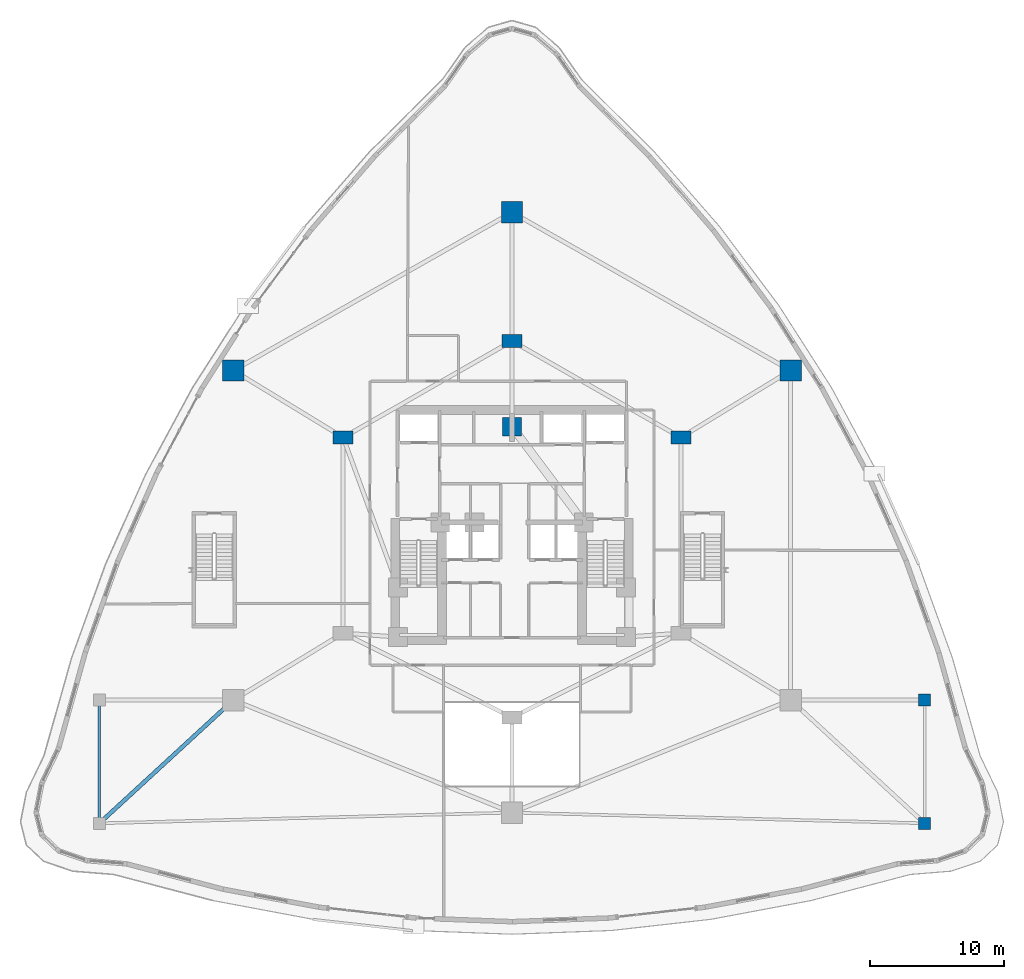
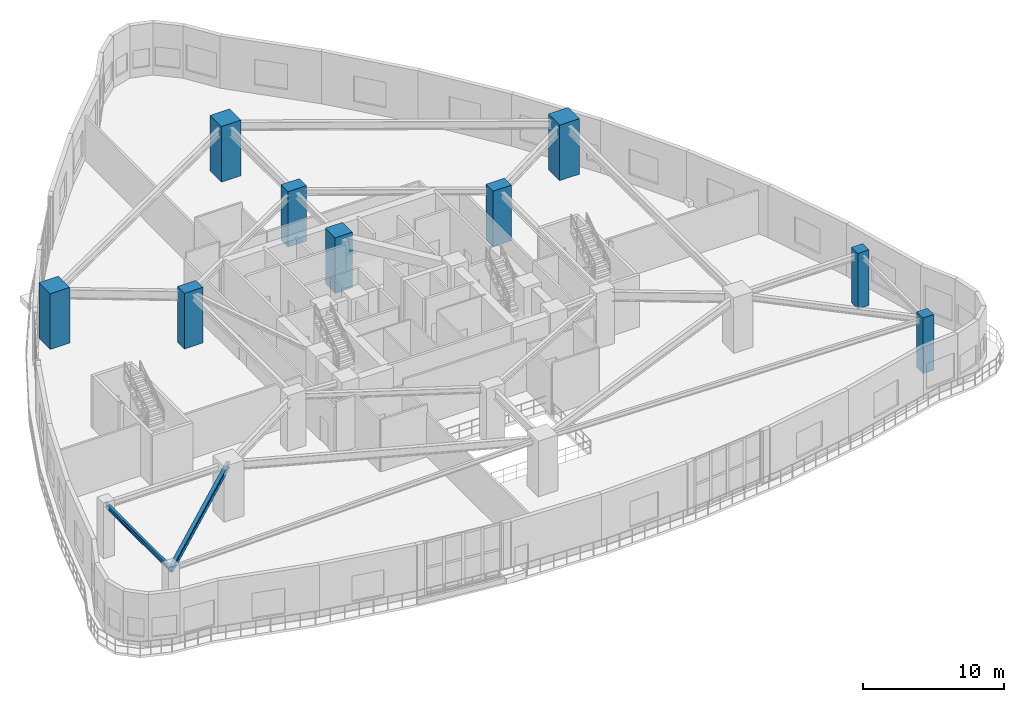
# One storey, part 3 of 25: 9 columns, 2 beams.
"""IFC4 building model written with IfcOpenShell, lengths in metres."""

import ifcopenshell
import ifcopenshell.guid

model = None  # the IFC model being written
_history = None  # IfcOwnerHistory: only IFC2X3 demands one
_inside = {}  # id of a spatial element -> (the spatial element, [elements in it])
_under = {}  # id of a project, library or spatial element -> (it, [spatial elements below it])
_declared = {}  # id of a project -> (the project, [libraries it declares])
_typed = {}  # id of a type object -> (the type object, [elements of that type])
_made_of = {}  # id of a material, layer set ... -> (it, [elements and type objects made of it])


def new_model(schema):
    """Start an empty IFC model of exactly this schema.

    Asked for "IFC4X3", IfcOpenShell would pick the latest addendum, in which some entities
    have other attributes; the version numbers below select the first issue.
    IFC2X3 requires an IfcOwnerHistory on every rooted entity: one is made here for all.
    """
    global model, _history
    if schema == "IFC4X3":
        model = ifcopenshell.file(schema_version=(4, 3, 0, 0))
    else:
        model = ifcopenshell.file(schema=schema)
    _inside.clear()
    _under.clear()
    _declared.clear()
    _typed.clear()
    _made_of.clear()
    _history = None
    if model.schema == "IFC2X3":
        org = make("IfcOrganization", Name="unknown")
        user = make(
            "IfcPersonAndOrganization",
            ThePerson=make("IfcPerson", FamilyName="unknown"),
            TheOrganization=org,
        )
        app = make(
            "IfcApplication",
            ApplicationDeveloper=org,
            Version="unknown",
            ApplicationFullName="unknown",
            ApplicationIdentifier="unknown",
        )
        _history = make(
            "IfcOwnerHistory",
            OwningUser=user,
            OwningApplication=app,
            ChangeAction="ADDED",
            CreationDate=0,
        )
    return model


def make(cls, **values):
    """One entity of the class cls with the attributes given. An attribute that is None is left unset."""
    return model.create_entity(
        cls, **{name: value for name, value in values.items() if value is not None}
    )


def rooted(cls, **values):
    """An entity with a GlobalId (a new one), such as an element, a storey or a relation."""
    return make(cls, GlobalId=ifcopenshell.guid.new(), OwnerHistory=_history, **values)


def si_unit(unit_type, name, prefix=None):
    """IfcSIUnit, for example si_unit("LENGTHUNIT", "METRE", prefix="MILLI")."""
    return make("IfcSIUnit", UnitType=unit_type, Prefix=prefix, Name=name)


def assignment(units):
    """IfcUnitAssignment: the units of a project."""
    return None if units is None else make("IfcUnitAssignment", Units=units)


def point(xyz):
    """IfcCartesianPoint."""
    return None if xyz is None else make("IfcCartesianPoint", Coordinates=xyz)


def direction(xyz):
    """IfcDirection."""
    return None if xyz is None else make("IfcDirection", DirectionRatios=xyz)


def frame(location, z_axis=None, x_axis=None):
    """IfcAxis2Placement3D, a coordinate frame: its origin and axes. An axis left out is left unset."""
    return make(
        "IfcAxis2Placement3D",
        Location=point(location),
        Axis=direction(z_axis),
        RefDirection=direction(x_axis),
    )


def frame_2d(location, x_axis=None):
    """IfcAxis2Placement2D, a coordinate frame in the plane: its origin and x axis."""
    return make(
        "IfcAxis2Placement2D", Location=point(location), RefDirection=direction(x_axis)
    )


def origin():
    """The frame at (0, 0, 0) with its axes left unset."""
    return frame((0.0, 0.0, 0.0))


def origin_2d():
    """The frame at (0, 0) in the plane with its x axis left unset."""
    return frame_2d((0.0, 0.0))


def place(relative_to, where):
    """IfcLocalPlacement: puts the frame where relative to a parent placement (None: the world)."""
    return make(
        "IfcLocalPlacement", PlacementRelTo=relative_to, RelativePlacement=where
    )


def context(
    kind, dimensions, precision=None, world=None, true_north=None, identifier=None
):
    """IfcGeometricRepresentationContext, for example the 3D "Model" context."""
    return make(
        "IfcGeometricRepresentationContext",
        ContextIdentifier=identifier,
        ContextType=kind,
        CoordinateSpaceDimension=dimensions,
        Precision=precision,
        WorldCoordinateSystem=world,
        TrueNorth=true_north,
    )


def subcontext(parent, identifier, kind, view, scale=None):
    """IfcGeometricRepresentationSubContext, for example "Body" below "Model"."""
    return make(
        "IfcGeometricRepresentationSubContext",
        ContextIdentifier=identifier,
        ContextType=kind,
        ParentContext=parent,
        TargetScale=scale,
        TargetView=view,
    )


def project(units=None, contexts=None):
    """IfcProject with its units and contexts."""
    return rooted(
        "IfcProject",
        Name="project",
        RepresentationContexts=contexts,
        UnitsInContext=assignment(units),
    )


def spatial(cls, under=None, at=None, **own):
    """A site, building, storey or space (cls), placed at a placement, below another one or the project."""
    s = rooted(cls, ObjectPlacement=at, **own)
    if under is not None:
        _under.setdefault(under.id(), (under, []))[1].append(s)
    return s


def profile(cls, at=None, kind="AREA", **sizes):
    """A parametric profile (cls). Its sizes go by their IFC names, for example OverallWidth=200.0."""
    return make(cls, ProfileType=kind, Position=at, **sizes)


def rectangle(**sizes):
    """IfcRectangleProfileDef."""
    return profile("IfcRectangleProfileDef", **sizes)


def i_section(**sizes):
    """IfcIShapeProfileDef."""
    return profile("IfcIShapeProfileDef", **sizes)


def extrude(swept, where, along, depth):
    """IfcExtrudedAreaSolid: the profile swept, set in the frame where, extruded along a direction by depth."""
    return make(
        "IfcExtrudedAreaSolid",
        SweptArea=swept,
        Position=where,
        ExtrudedDirection=direction(along),
        Depth=depth,
    )


def shape(context_of_items, identifier, shape_type, items):
    """IfcShapeRepresentation: the items that make up one representation, for example the "Body"."""
    return make(
        "IfcShapeRepresentation",
        ContextOfItems=context_of_items,
        RepresentationIdentifier=identifier,
        RepresentationType=shape_type,
        Items=items,
    )


def material(Name=None, Category=None):
    """IfcMaterial."""
    return make("IfcMaterial", Name=Name, Category=Category)


def material_profile(
    of_material, cross_section, Name=None, Category=None, Priority=None
):
    """IfcMaterialProfile: a cross section and its material."""
    return make(
        "IfcMaterialProfile",
        Name=Name,
        Material=of_material,
        Profile=cross_section,
        Priority=Priority,
        Category=Category,
    )


def profile_set(profiles, Name=None, composite=None):
    """IfcMaterialProfileSet."""
    return make(
        "IfcMaterialProfileSet",
        Name=Name,
        MaterialProfiles=profiles,
        CompositeProfile=composite,
    )


def made_of(thing, what):
    """Note that an element or type object is made of a material, layer set ...; save() writes the relation."""
    if what is not None:
        _made_of.setdefault(what.id(), (what, []))[1].append(thing)
    return thing


def type_object(cls, material=None, **own):
    """A type object (cls), such as IfcWallType, which elements share."""
    return made_of(rooted(cls, **own), material)


def element(
    cls,
    number,
    at=None,
    inside=None,
    cuts=None,
    type_object=None,
    material=None,
    context=None,
    identifier="Body",
    shape_type=None,
    held_by="IfcProductDefinitionShape",
    body=None,
    shapes=None,
    **own,
):
    """One element of the class cls, such as IfcWall. Its Tag is "e" and its number.

    at: its placement. inside: the storey or other place that contains it. cuts: it is an
    opening in that element (IfcRelVoidsElement). A single representation is given by context,
    identifier, shape_type and body (its items); several are given by shapes. held_by: the class
    of the entity that holds the representations. save() writes the other relations.
    """
    e = rooted(cls, Tag="e%d" % number, ObjectPlacement=at, **own)
    if body is not None:
        shapes = [shape(context, identifier, shape_type, body)]
    if shapes is not None:
        e.Representation = make(held_by, Representations=shapes)
    if inside is not None:
        _inside.setdefault(inside.id(), (inside, []))[1].append(e)
    if cuts is not None:
        rooted(
            "IfcRelVoidsElement", RelatingBuildingElement=cuts, RelatedOpeningElement=e
        )
    if type_object is not None:
        _typed.setdefault(type_object.id(), (type_object, []))[1].append(e)
    return made_of(e, material)


def aggregate(whole, parts):
    """IfcRelAggregates: a whole, such as a stair, and the parts it consists of."""
    return rooted("IfcRelAggregates", RelatingObject=whole, RelatedObjects=parts)


def save(model, path):
    """Write the relations noted so far, then the file.

    IfcRelAggregates (storeys below a building ...), IfcRelContainedInSpatialStructure (elements
    in a storey), IfcRelDefinesByType, IfcRelAssociatesMaterial and IfcRelDeclares: one each for
    every whole, place, type object, material and project.
    """
    for whole, parts in _under.values():
        aggregate(whole, parts)
    for where, things in _inside.values():
        rooted(
            "IfcRelContainedInSpatialStructure",
            RelatedElements=things,
            RelatingStructure=where,
        )
    for kind, things in _typed.values():
        rooted("IfcRelDefinesByType", RelatedObjects=things, RelatingType=kind)
    for what, things in _made_of.values():
        rooted("IfcRelAssociatesMaterial", RelatedObjects=things, RelatingMaterial=what)
    for by, libraries in _declared.values():
        rooted("IfcRelDeclares", RelatingContext=by, RelatedDefinitions=libraries)
    model.write(path)


model = new_model("IFC4")

# Units and contexts
model_context = context("Model", 3, precision=1e-05, world=origin(), true_north=direction((0.0, 1.0)))
body_context = subcontext(model_context, "Body", "Model", "MODEL_VIEW")
ifc_project = project(units=[si_unit("LENGTHUNIT", "METRE"), si_unit("AREAUNIT", "SQUARE_METRE"), si_unit("VOLUMEUNIT", "CUBIC_METRE"), si_unit("PLANEANGLEUNIT", "RADIAN"), si_unit("MASSUNIT", "GRAM", prefix="KILO")], contexts=[model_context])

# Site, building, storey
site_placement = place(None, origin())
site = spatial("IfcSite", under=ifc_project, at=site_placement, CompositionType="ELEMENT")
building_placement = place(site_placement, origin())
building = spatial("IfcBuilding", under=site, at=building_placement, Name="Miruveldt Soraemaru", CompositionType="ELEMENT")
storey_placement = place(building_placement, frame((0.0, 0.0, 4.800048828125)))
storey = spatial("IfcBuildingStorey", under=building, at=storey_placement, Name="L02", CompositionType="ELEMENT", Elevation=4.800048828125)

# Columns
ifc_material_1 = material(Name="Concrete C50/60 (50 MPa)", Category="concrete")
ifc_material_profile_1 = material_profile(ifc_material_1, rectangle(XDim=0.89990234375, YDim=0.89990234375, at=origin_2d()), Name="Concrete C50/60 (50 MPa)", Category="concrete")
ifc_profile_set_1 = profile_set([ifc_material_profile_1], Name="Concrete C50/60 (50 MPa)")
column_type_1 = type_object("IfcColumnType", Name="COL-CORE-900", PredefinedType="COLUMN", material=ifc_profile_set_1)
for number, where, z_axis, x_axis, name in (
    (1, (74.800048828125, 21.60009765625, 0.0), (0.0, 0.0, 1.0), (1.0, 0.0, 0.0), "L02 Structural Column PF03"),
    (2, (74.800048828125, 30.800048828125, 0.0), (0.0, 0.0, 1.0), (1.0, 0.0, 0.0), "L02 Structural Column PF04"),
):
    element("IfcColumn", number, at=place(storey_placement, frame(where, z_axis=z_axis, x_axis=x_axis)), inside=storey, type_object=column_type_1, Name=name, PredefinedType="COLUMN", context=body_context, shape_type="SweptSolid", body=[
        extrude(rectangle(XDim=0.89990234375, YDim=0.89990234375, at=origin_2d()), origin(), (0.0, 0.0, 1.0), 4.800048828125),
    ])
ifc_material_2 = material(Name="Concrete C80/95 (80 MPa)", Category="concrete")
ifc_material_profile_2 = material_profile(ifc_material_2, rectangle(XDim=1.39990234375, YDim=1.39990234375, at=origin_2d()), Name="Concrete C80/95 (80 MPa)", Category="concrete")
ifc_profile_set_2 = profile_set([ifc_material_profile_2], Name="Concrete C80/95 (80 MPa)")
column_type_2 = type_object("IfcColumnType", Name="COL-MEGA-1400", PredefinedType="COLUMN", material=ifc_profile_set_2)
column_placement = place(storey_placement, frame((44.0, 51.199951171875, 0.0), z_axis=(0.0, 0.0, 1.0), x_axis=(1.0, 0.0, 0.0)))
element("IfcColumn", 3, at=column_placement, inside=storey, type_object=column_type_2, Name="L02 Structural Column CC6", PredefinedType="COLUMN", context=body_context, shape_type="SweptSolid", body=[
    extrude(rectangle(XDim=1.39990234375, YDim=1.39990234375, at=origin_2d()), origin(), (0.0, 0.0, 1.0), 4.800048828125),
])
ifc_material_profile_3 = material_profile(ifc_material_2, rectangle(XDim=1.60009765625, YDim=1.60009765625, at=origin_2d()), Name="Concrete C80/95 (80 MPa)", Category="concrete")
ifc_profile_set_3 = profile_set([ifc_material_profile_3], Name="Concrete C80/95 (80 MPa)")
column_type_3 = type_object("IfcColumnType", Name="COL-MEGA-1600", PredefinedType="COLUMN", material=ifc_profile_set_3)
for number, where, z_axis, x_axis, name in (
    (4, (44.0, 67.199951171875, 0.0), (0.0, 0.0, 1.0), (1.0, 0.0, 0.0), "L02 Structural Column PM01"),
    (5, (64.800048828125, 55.39990234375, 0.0), (0.0, 0.0, 1.0), (1.0, 0.0, 0.0), "L02 Structural Column PM02"),
    (6, (23.199951171875, 55.39990234375, 0.0), (0.0, 0.0, 1.0), (1.0, 0.0, 0.0), "L02 Structural Column PM06"),
):
    element("IfcColumn", number, at=place(storey_placement, frame(where, z_axis=z_axis, x_axis=x_axis)), inside=storey, type_object=column_type_3, Name=name, PredefinedType="COLUMN", context=body_context, shape_type="SweptSolid", body=[
        extrude(rectangle(XDim=1.60009765625, YDim=1.60009765625, at=origin_2d()), origin(), (0.0, 0.0, 1.0), 4.800048828125),
    ])
ifc_material_profile_4 = material_profile(ifc_material_2, rectangle(XDim=1.5, YDim=1.0, at=origin_2d()), Name="Concrete C80/95 (80 MPa)", Category="concrete")
ifc_profile_set_4 = profile_set([ifc_material_profile_4], Name="Concrete C80/95 (80 MPa)")
column_type_4 = type_object("IfcColumnType", Name="COL-TW-Z1A", PredefinedType="COLUMN", material=ifc_profile_set_4)
for number, where, z_axis, x_axis, name in (
    (7, (44.0, 57.60009765625, 0.0), (0.0, 0.0, 1.0), (1.0, 0.0, 0.0), "L02 Structural Column IR01"),
    (8, (56.60009765625, 50.39990234375, 0.0), (0.0, 0.0, 1.0), (1.0, 0.0, 0.0), "L02 Structural Column IR02"),
    (9, (31.39990234375, 50.39990234375, 0.0), (0.0, 0.0, 1.0), (1.0, 0.0, 0.0), "L02 Structural Column IR06"),
):
    element("IfcColumn", number, at=place(storey_placement, frame(where, z_axis=z_axis, x_axis=x_axis)), inside=storey, type_object=column_type_4, Name=name, PredefinedType="COLUMN", context=body_context, shape_type="SweptSolid", body=[
        extrude(rectangle(XDim=1.5, YDim=1.0, at=origin_2d()), origin(), (0.0, 0.0, 1.0), 4.800048828125),
    ])

# Beams
ifc_material_3 = material(Name="Steel SM355 (355 MPa)", Category="steel")
ifc_material_profile_5 = material_profile(ifc_material_3, i_section(OverallWidth=0.199951171875, OverallDepth=0.39990234375, WebThickness=0.008056640625, FlangeThickness=0.012939453125, FilletRadius=0.01611328125, at=origin_2d()), Name="Steel SM355 (355 MPa)", Category="steel")
ifc_profile_set_5 = profile_set([ifc_material_profile_5], Name="Steel SM355 (355 MPa)")
beam_type_1 = type_object("IfcBeamType", Name="BM-ST-H400", PredefinedType="JOIST", material=ifc_profile_set_5)
beam_1_placement = place(storey_placement, frame((13.199951171875, 30.800048828125, 4.300048828125), z_axis=(0.0, -1.0, 0.0), x_axis=(1.0, 0.0, 0.0)))
element("IfcBeam", 10, at=beam_1_placement, inside=storey, type_object=beam_type_1, Name="L02 Podium West Bay Edge Beam", PredefinedType="JOIST", context=body_context, shape_type="SweptSolid", body=[
    extrude(i_section(OverallWidth=0.199951171875, OverallDepth=0.39990234375, WebThickness=0.008056640625, FlangeThickness=0.012939453125, FilletRadius=0.01611328125, at=origin_2d()), origin(), (0.0, 0.0, 1.0), 9.199951171875),
])
ifc_material_profile_6 = material_profile(ifc_material_3, i_section(OverallWidth=0.300048828125, OverallDepth=0.488037109375, WebThickness=0.010986328125, FlangeThickness=0.01806640625, FilletRadius=0.02587890625, at=origin_2d()), Name="Steel SM355 (355 MPa)", Category="steel")
ifc_profile_set_6 = profile_set([ifc_material_profile_6], Name="Steel SM355 (355 MPa)")
beam_type_2 = type_object("IfcBeamType", Name="BM-ST-H488", PredefinedType="BEAM", material=ifc_profile_set_6)
beam_2_placement = place(storey_placement, frame((13.199951171875, 21.60009765625, 4.255859375), z_axis=(0.735932802242, 0.677054584641, 0.0), x_axis=(-0.677054584641, 0.735932802242, 0.0)))
element("IfcBeam", 11, at=beam_2_placement, inside=storey, type_object=beam_type_2, Name="L02 Podium West Bay Tie Girder", PredefinedType="BEAM", context=body_context, shape_type="SweptSolid", body=[
    extrude(i_section(OverallWidth=0.300048828125, OverallDepth=0.488037109375, WebThickness=0.010986328125, FlangeThickness=0.01806640625, FilletRadius=0.02587890625, at=origin_2d()), origin(), (0.0, 0.0, 1.0), 13.588134765625),
])

save(model, "model.ifc")
